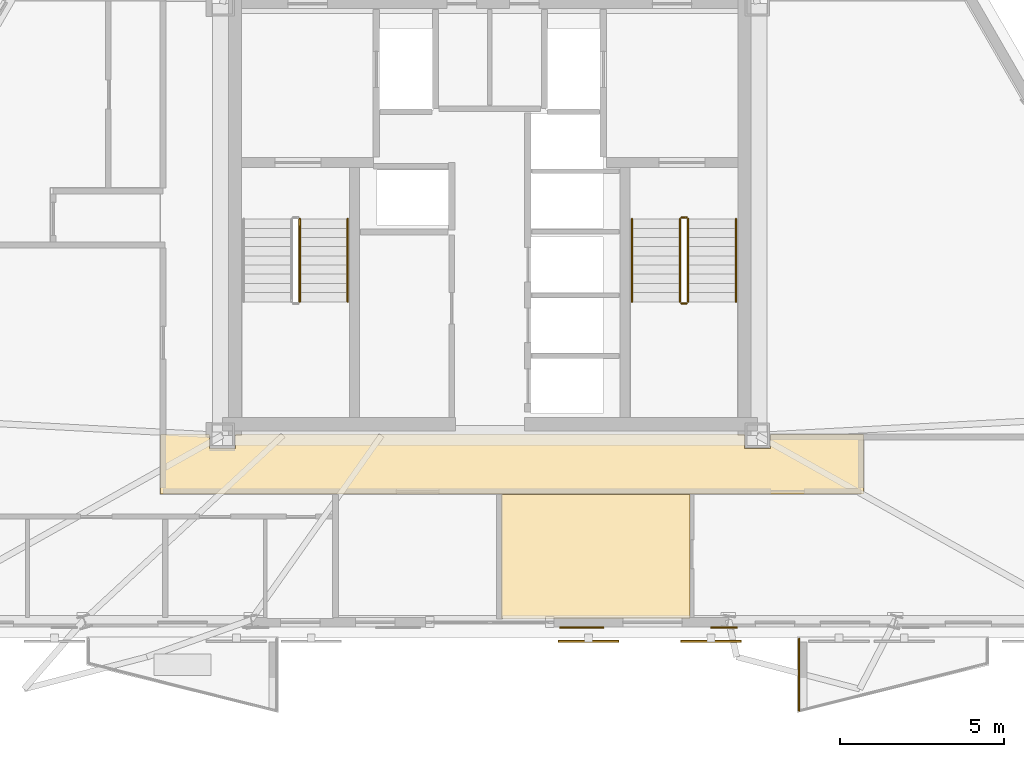
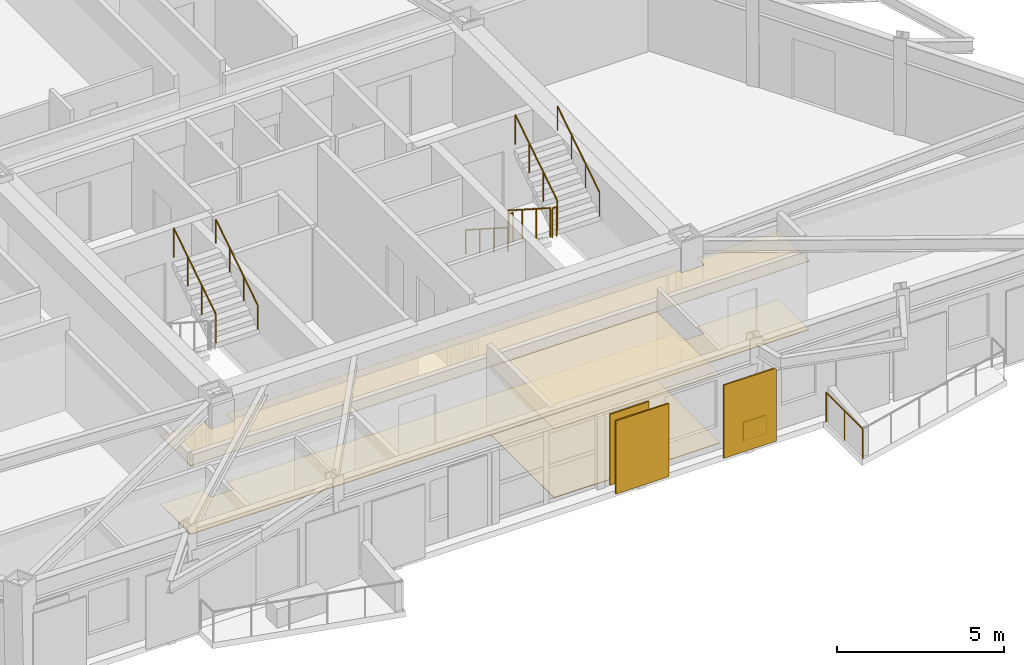
# One storey, part 11 of 13: 9 railings, 6 coverings, 2 shading devices.
"""IFC4 building model written with IfcOpenShell, lengths in metres."""

from ifc_helpers import new_model, si_unit, direction, frame, origin, origin_2d, place, context, subcontext, project, spatial, polyline, rectangle, circle, outline, extrude, material, layer, layer_set, type_object, element, save


model = new_model("IFC4")

# Units and contexts
model_context = context("Model", 3, precision=1e-05, world=origin(), true_north=direction((0.0, 1.0)))
body_context = subcontext(model_context, "Body", "Model", "MODEL_VIEW")
ifc_project = project(units=[si_unit("LENGTHUNIT", "METRE"), si_unit("AREAUNIT", "SQUARE_METRE"), si_unit("VOLUMEUNIT", "CUBIC_METRE"), si_unit("PLANEANGLEUNIT", "RADIAN"), si_unit("MASSUNIT", "GRAM", prefix="KILO")], contexts=[model_context])

# Site, building, storey
site_placement = place(None, origin())
site = spatial("IfcSite", under=ifc_project, at=site_placement, CompositionType="ELEMENT")
building_placement = place(site_placement, origin())
building = spatial("IfcBuilding", under=site, at=building_placement, Name="Oramaril Tower", CompositionType="ELEMENT")
storey_placement = place(building_placement, frame((0.0, 0.0, 197.39990234375)))
storey = spatial("IfcBuildingStorey", under=building, at=storey_placement, Name="L52", CompositionType="ELEMENT", Elevation=197.39990234375)

# Coverings
ifc_material_1 = material(Name="Mineral Fibre Acoustic Ceiling")
ifc_layer_1 = layer(ifc_material_1, 0.02001953125)
ifc_layer_set_1 = layer_set([ifc_layer_1], Name="CVT-CEIL")
covering_type_1 = type_object("IfcCoveringType", Name="CVT-CEIL", PredefinedType="CEILING", material=ifc_layer_set_1)
covering_1_placement = place(storey_placement, frame((0.0, 0.0, 2.51220703125)))
element("IfcCovering", 1, at=covering_1_placement, inside=storey, type_object=covering_type_1, Name="L52 Acoustic Suspended Ceiling 1", PredefinedType="CEILING", context=body_context, shape_type="SweptSolid", body=[
    extrude(outline(polyline([(28.955078125, 10.60498046875), (29.7451171875, 10.60498046875), (29.7451171875, 11.030029296875), (45.2548828125, 11.030029296875), (45.2548828125, 10.60498046875), (46.044921875, 10.60498046875), (46.044921875, 11.030029296875), (48.8798828125, 11.030029296875), (48.8798828125, 9.219970703125), (27.469970703125, 9.219970703125), (27.469970703125, 11.030029296875), (28.955078125, 11.030029296875), (28.955078125, 10.60498046875)])), origin(), (0.0, 0.0, 1.0), 0.019775390625),
])
covering_2_placement = place(storey_placement, frame((0.0, 0.0, 2.51220703125)))
element("IfcCovering", 2, at=covering_2_placement, inside=storey, type_object=covering_type_1, Name="L52 Acoustic Suspended Ceiling 8", PredefinedType="CEILING", context=body_context, shape_type="SweptSolid", body=[
    extrude(outline(polyline([(37.862060546875, 5.41943359375), (37.862060546875, 9.199951171875), (43.59814453125, 9.199951171875), (43.59814453125, 5.41943359375), (37.862060546875, 5.41943359375)])), origin(), (0.0, 0.0, 1.0), 0.019775390625),
])
ifc_material_2 = material(Name="Warm Cream Limestone", Category="masonry")
ifc_layer_2 = layer(ifc_material_2, 0.050048828125)
ifc_layer_set_2 = layer_set([ifc_layer_2], Name="CVT-CLD")
covering_type_2 = type_object("IfcCoveringType", Name="CVT-CLD", PredefinedType="CLADDING", material=ifc_layer_set_2)
covering_3_placement = place(storey_placement, frame((40.300048828125, 5.1435546875, 0.0400390625), z_axis=(0.0, 0.0, 1.0), x_axis=(1.0, 0.0, 0.0)))
element("IfcCovering", 3, at=covering_3_placement, inside=storey, type_object=covering_type_2, Name="L52 Warm Cream Limestone Cladding", PredefinedType="CLADDING", context=body_context, shape_type="SweptSolid", body=[
    extrude(rectangle(XDim=1.35009765625, YDim=0.050048828125, at=origin_2d()), origin(), (0.0, 0.0, 1.0), 2.596923828125),
])
covering_4_placement = place(storey_placement, frame((44.633056640625, 5.1435546875, 0.0400390625), z_axis=(0.0, 0.0, 1.0), x_axis=(1.0, 0.0, 0.0)))
element("IfcCovering", 4, at=covering_4_placement, inside=storey, type_object=covering_type_2, Name="L52 Warm Cream Limestone Spandrel Cladding", PredefinedType="CLADDING", context=body_context, shape_type="SweptSolid", body=[
    extrude(rectangle(XDim=0.800048828125, YDim=0.050048828125, at=origin_2d()), origin(), (0.0, 0.0, 1.0), 0.679931640625),
])
ifc_material_3 = material(Name="Honed Quartzite Stone Flooring", Category="masonry")
ifc_layer_3 = layer(ifc_material_3, 0.02490234375)
ifc_layer_set_3 = layer_set([ifc_layer_3], Name="CVT-FLR")
covering_type_3 = type_object("IfcCoveringType", Name="CVT-FLR", PredefinedType="FLOORING", material=ifc_layer_set_3)
covering_5_placement = place(storey_placement, origin())
element("IfcCovering", 5, at=covering_5_placement, inside=storey, type_object=covering_type_3, Name="L52 Honed Stone Floor Finish 1", PredefinedType="FLOORING", context=body_context, shape_type="SweptSolid", body=[
    extrude(outline(polyline([(28.955078125, 10.60498046875), (29.7451171875, 10.60498046875), (29.7451171875, 11.030029296875), (45.2548828125, 11.030029296875), (45.2548828125, 10.60498046875), (46.044921875, 10.60498046875), (46.044921875, 11.030029296875), (48.8798828125, 11.030029296875), (48.8798828125, 9.219970703125), (27.469970703125, 9.219970703125), (27.469970703125, 11.030029296875), (28.955078125, 11.030029296875), (28.955078125, 10.60498046875)])), origin(), (0.0, 0.0, 1.0), 0.025146484375),
])
covering_6_placement = place(storey_placement, origin())
element("IfcCovering", 6, at=covering_6_placement, inside=storey, type_object=covering_type_3, Name="L52 Honed Stone Floor Finish 8", PredefinedType="FLOORING", context=body_context, shape_type="SweptSolid", body=[
    extrude(outline(polyline([(37.862060546875, 5.41943359375), (37.862060546875, 9.199951171875), (43.59814453125, 9.199951171875), (43.59814453125, 5.41943359375), (37.862060546875, 5.41943359375)])), origin(), (0.0, 0.0, 1.0), 0.025146484375),
])

# Railings
ifc_material_4 = material(Name="Stainless Steel 316L", Category="steel")
railing_type_1 = type_object("IfcRailingType", Name="RLT-GRD", PredefinedType="GUARDRAIL", material=ifc_material_4)
railing_1_placement = place(storey_placement, frame((46.92236328125, 2.611572265625, 0.0)))
element("IfcRailing", 7, at=railing_1_placement, inside=storey, type_object=railing_type_1, Name="L52 Balcony Guardrail L52-BAL-S2.3", PredefinedType="GUARDRAIL", context=body_context, shape_type="SweptSolid", body=[
    extrude(circle(Radius=0.02392578125, at=origin_2d()), frame((0.0, 0.0, 1.076171875), z_axis=(0.0, 1.0, 0.0), x_axis=(-1.0, 0.0, 0.0)), (0.0, 0.0, 1.0), 2.19189453125),
    extrude(circle(Radius=0.02099609375, at=origin_2d()), origin(), (0.0, 0.0, 1.0), 1.052001953125),
    extrude(circle(Radius=0.02099609375, at=origin_2d()), frame((0.0, 1.095947265625, 0.0)), (0.0, 0.0, 1.0), 1.052001953125),
    extrude(circle(Radius=0.02099609375, at=origin_2d()), frame((0.0, 2.19189453125, 0.0)), (0.0, 0.0, 1.0), 1.052001953125),
])
railing_2_placement = place(storey_placement, frame((31.7099609375, 15.070068359375, 1.97998046875)))
element("IfcRailing", 8, at=railing_2_placement, inside=storey, type_object=railing_type_1, Name="L52 ST-1 stair guard 3", PredefinedType="GUARDRAIL", context=body_context, shape_type="SweptSolid", body=[
    extrude(circle(Radius=0.02392578125, at=origin_2d()), frame((0.0, 0.0, 1.076171875), z_axis=(0.0, 0.841162588446, 0.540782303519), x_axis=(-1.0, 0.0, 0.0)), (0.0, 0.0, 1.0), 2.995849609375),
    extrude(circle(Radius=0.02099609375, at=origin_2d()), origin(), (0.0, 0.0, 1.0), 1.052001953125),
    extrude(circle(Radius=0.02099609375, at=origin_2d()), frame((0.0, 0.840087890625, 0.5400390625)), (0.0, 0.0, 1.0), 1.052001953125),
    extrude(circle(Radius=0.02099609375, at=origin_2d()), frame((0.0, 1.679931640625, 1.080078125)), (0.0, 0.0, 1.0), 1.052001953125),
    extrude(circle(Radius=0.02099609375, at=origin_2d()), frame((0.0, 2.52001953125, 1.6201171875)), (0.0, 0.0, 1.0), 1.052001953125),
])
railing_3_placement = place(storey_placement, frame((43.2900390625, 17.590087890625, 0.18017578125)))
element("IfcRailing", 9, at=railing_3_placement, inside=storey, type_object=railing_type_1, Name="L52 ST-2 stair guard 1", PredefinedType="GUARDRAIL", context=body_context, shape_type="SweptSolid", body=[
    extrude(circle(Radius=0.02392578125, at=origin_2d()), frame((0.0, 0.0, 1.076171875), z_axis=(0.0, -0.841199657755, 0.540724639528), x_axis=(1.0, 0.0, 0.0)), (0.0, 0.0, 1.0), 2.995849609375),
    extrude(circle(Radius=0.02099609375, at=origin_2d()), origin(), (0.0, 0.0, 1.0), 1.052001953125),
    extrude(circle(Radius=0.02099609375, at=origin_2d()), frame((0.0, -0.840087890625, 0.5400390625)), (0.0, 0.0, 1.0), 1.052001953125),
    extrude(circle(Radius=0.02099609375, at=origin_2d()), frame((0.0, -1.679931640625, 1.079833984375)), (0.0, 0.0, 1.0), 1.052001953125),
    extrude(circle(Radius=0.02099609375, at=origin_2d()), frame((0.0, -2.52001953125, 1.619873046875)), (0.0, 0.0, 1.0), 1.052001953125),
])
railing_4_placement = place(storey_placement, frame((43.340087890625, 15.02001953125, 1.800048828125)))
element("IfcRailing", 10, at=railing_4_placement, inside=storey, type_object=railing_type_1, Name="L52 ST-2 stair guard 2", PredefinedType="GUARDRAIL", context=body_context, shape_type="SweptSolid", body=[
    extrude(circle(Radius=0.02392578125, at=origin_2d()), frame((0.0, 0.0, 1.076171875), z_axis=(1.0, 0.0, 0.0), x_axis=(0.0, 1.0, 0.0)), (0.0, 0.0, 1.0), 0.14990234375),
    extrude(circle(Radius=0.02099609375, at=origin_2d()), origin(), (0.0, 0.0, 1.0), 1.052001953125),
    extrude(circle(Radius=0.02099609375, at=origin_2d()), frame((0.14990234375, 0.0, 0.0)), (0.0, 0.0, 1.0), 1.052001953125),
])
railing_5_placement = place(storey_placement, frame((43.5400390625, 15.070068359375, 1.97998046875)))
element("IfcRailing", 11, at=railing_5_placement, inside=storey, type_object=railing_type_1, Name="L52 ST-2 stair guard 3", PredefinedType="GUARDRAIL", context=body_context, shape_type="SweptSolid", body=[
    extrude(circle(Radius=0.02392578125, at=origin_2d()), frame((0.0, 0.0, 1.076171875), z_axis=(0.0, 0.841162588446, 0.540782303519), x_axis=(-1.0, 0.0, 0.0)), (0.0, 0.0, 1.0), 2.995849609375),
    extrude(circle(Radius=0.02099609375, at=origin_2d()), origin(), (0.0, 0.0, 1.0), 1.052001953125),
    extrude(circle(Radius=0.02099609375, at=origin_2d()), frame((0.0, 0.840087890625, 0.5400390625)), (0.0, 0.0, 1.0), 1.052001953125),
    extrude(circle(Radius=0.02099609375, at=origin_2d()), frame((0.0, 1.679931640625, 1.080078125)), (0.0, 0.0, 1.0), 1.052001953125),
    extrude(circle(Radius=0.02099609375, at=origin_2d()), frame((0.0, 2.52001953125, 1.6201171875)), (0.0, 0.0, 1.0), 1.052001953125),
])
railing_6_placement = place(storey_placement, frame((43.340087890625, 17.639892578125, 0.0)))
element("IfcRailing", 12, at=railing_6_placement, inside=storey, type_object=railing_type_1, Name="L52 ST-2 stair guard 4", PredefinedType="GUARDRAIL", context=body_context, shape_type="SweptSolid", body=[
    extrude(circle(Radius=0.02392578125, at=origin_2d()), frame((0.0, 0.0, 1.076171875), z_axis=(1.0, 0.0, 0.0), x_axis=(0.0, 1.0, 0.0)), (0.0, 0.0, 1.0), 0.14990234375),
    extrude(circle(Radius=0.02099609375, at=origin_2d()), origin(), (0.0, 0.0, 1.0), 1.052001953125),
    extrude(circle(Radius=0.02099609375, at=origin_2d()), frame((0.14990234375, 0.0, 0.0)), (0.0, 0.0, 1.0), 1.052001953125),
])
ifc_material_5 = material(Name="Stainless Steel 316L", Category="steel")
railing_type_2 = type_object("IfcRailingType", Name="RLT-HND", PredefinedType="HANDRAIL", material=ifc_material_5)
railing_7_placement = place(storey_placement, frame((33.169921875, 15.070068359375, 1.97998046875)))
element("IfcRailing", 13, at=railing_7_placement, inside=storey, type_object=railing_type_2, Name="L52 ST-1 stair handrail 2", PredefinedType="HANDRAIL", context=body_context, shape_type="SweptSolid", body=[
    extrude(circle(Radius=0.02392578125, at=origin_2d()), frame((0.0, 0.0, 0.8759765625), z_axis=(0.0, 0.841162588446, 0.540782303519), x_axis=(-1.0, 0.0, 0.0)), (0.0, 0.0, 1.0), 2.995849609375),
    extrude(circle(Radius=0.02099609375, at=origin_2d()), origin(), (0.0, 0.0, 1.0), 0.851806640625),
    extrude(circle(Radius=0.02099609375, at=origin_2d()), frame((0.0, 0.840087890625, 0.5400390625)), (0.0, 0.0, 1.0), 0.851806640625),
    extrude(circle(Radius=0.02099609375, at=origin_2d()), frame((0.0, 1.679931640625, 1.080078125)), (0.0, 0.0, 1.0), 0.851806640625),
    extrude(circle(Radius=0.02099609375, at=origin_2d()), frame((0.0, 2.52001953125, 1.6201171875)), (0.0, 0.0, 1.0), 0.851806640625),
])
railing_8_placement = place(storey_placement, frame((41.830078125, 17.590087890625, 0.18017578125)))
element("IfcRailing", 14, at=railing_8_placement, inside=storey, type_object=railing_type_2, Name="L52 ST-2 stair handrail 1", PredefinedType="HANDRAIL", context=body_context, shape_type="SweptSolid", body=[
    extrude(circle(Radius=0.02392578125, at=origin_2d()), frame((0.0, 0.0, 0.8759765625), z_axis=(0.0, -0.841199657755, 0.540724639528), x_axis=(1.0, 0.0, 0.0)), (0.0, 0.0, 1.0), 2.995849609375),
    extrude(circle(Radius=0.02099609375, at=origin_2d()), origin(), (0.0, 0.0, 1.0), 0.851806640625),
    extrude(circle(Radius=0.02099609375, at=origin_2d()), frame((0.0, -0.840087890625, 0.5400390625)), (0.0, 0.0, 1.0), 0.851806640625),
    extrude(circle(Radius=0.02099609375, at=origin_2d()), frame((0.0, -1.679931640625, 1.079833984375)), (0.0, 0.0, 1.0), 0.851806640625),
    extrude(circle(Radius=0.02099609375, at=origin_2d()), frame((0.0, -2.52001953125, 1.619873046875)), (0.0, 0.0, 1.0), 0.851806640625),
])
railing_9_placement = place(storey_placement, frame((45.0, 15.070068359375, 1.97998046875)))
element("IfcRailing", 15, at=railing_9_placement, inside=storey, type_object=railing_type_2, Name="L52 ST-2 stair handrail 2", PredefinedType="HANDRAIL", context=body_context, shape_type="SweptSolid", body=[
    extrude(circle(Radius=0.02392578125, at=origin_2d()), frame((0.0, 0.0, 0.8759765625), z_axis=(0.0, 0.841162588446, 0.540782303519), x_axis=(-1.0, 0.0, 0.0)), (0.0, 0.0, 1.0), 2.995849609375),
    extrude(circle(Radius=0.02099609375, at=origin_2d()), origin(), (0.0, 0.0, 1.0), 0.851806640625),
    extrude(circle(Radius=0.02099609375, at=origin_2d()), frame((0.0, 0.840087890625, 0.5400390625)), (0.0, 0.0, 1.0), 0.851806640625),
    extrude(circle(Radius=0.02099609375, at=origin_2d()), frame((0.0, 1.679931640625, 1.080078125)), (0.0, 0.0, 1.0), 0.851806640625),
    extrude(circle(Radius=0.02099609375, at=origin_2d()), frame((0.0, 2.52001953125, 1.6201171875)), (0.0, 0.0, 1.0), 0.851806640625),
])

# Shading devices
for number, where, z_axis, x_axis, name in (
    (16, (44.23681640625, 4.7314453125, -0.02001953125), (0.0, 0.0, 1.0), (1.0, 0.0, 0.0), "L52 Perforated Ceramic Solar Screen"),
    (17, (40.506103515625, 4.7314453125, -0.02001953125), (0.0, 0.0, 1.0), (1.0, 0.0, 0.0), "L52 Perforated Ceramic Solar Screen"),
):
    element("IfcShadingDevice", number, at=place(storey_placement, frame(where, z_axis=z_axis, x_axis=x_axis)), inside=storey, Name=name, ObjectType="SCREEN", PredefinedType="USERDEFINED", context=body_context, shape_type="SweptSolid", body=[
        extrude(rectangle(XDim=1.8330078125, YDim=0.050048828125, at=origin_2d()), origin(), (0.0, 0.0, 1.0), 2.677001953125),
    ])

save(model, "model.ifc")
